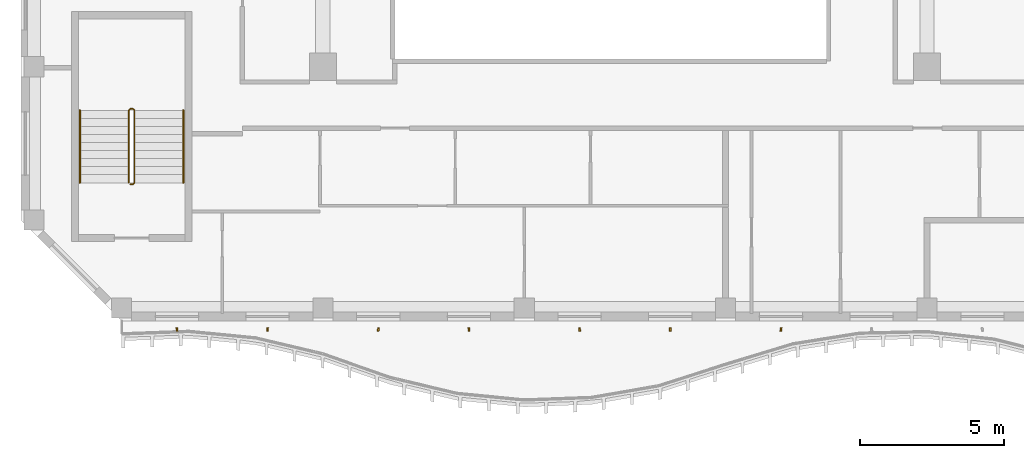
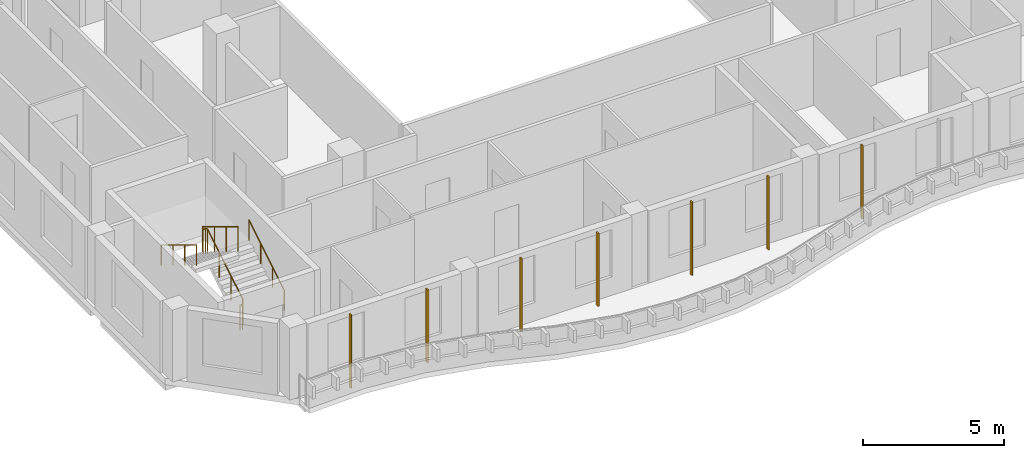
# One storey, part 13 of 20: 7 shading devices, 3 railings.
"""IFC4 building model written with IfcOpenShell, lengths in metres."""

from ifc_helpers import new_model, si_unit, direction, frame, origin, origin_2d, place, context, subcontext, project, spatial, rectangle, circle, extrude, source, transform, mapped, material, material_profile, profile_set, type_object, element, save


model = new_model("IFC4")

# Units and contexts
model_context = context("Model", 3, precision=1e-05, world=origin(), true_north=direction((0.0, 1.0)))
body_context = subcontext(model_context, "Body", "Model", "MODEL_VIEW")
ifc_project = project(units=[si_unit("LENGTHUNIT", "METRE"), si_unit("AREAUNIT", "SQUARE_METRE"), si_unit("VOLUMEUNIT", "CUBIC_METRE"), si_unit("PLANEANGLEUNIT", "RADIAN"), si_unit("MASSUNIT", "GRAM", prefix="KILO")], contexts=[model_context])

# Site, building, storey
site_placement = place(None, origin())
site = spatial("IfcSite", under=ifc_project, at=site_placement, CompositionType="ELEMENT")
building_placement = place(site_placement, origin())
building = spatial("IfcBuilding", under=site, at=building_placement, Name="Kilnfold Tower and Market Hall", CompositionType="ELEMENT")
storey_placement = place(building_placement, frame((0.0, 0.0, 239.0)))
storey = spatial("IfcBuildingStorey", under=building, at=storey_placement, Name="L57", CompositionType="ELEMENT", Elevation=239.0)

# Railings
ifc_material_1 = material(Name="Stainless steel 316", Category="steel")
railing_type_1 = type_object("IfcRailingType", Name="CORE STAIR GUARD 1100", PredefinedType="GUARDRAIL", material=ifc_material_1)
railing_1_placement = place(storey_placement, frame((-15.699951171875, -13.75, 0.0)))
element("IfcRailing", 1, at=railing_1_placement, inside=storey, type_object=railing_type_1, Name="L57 ST3 stair guard 1", PredefinedType="GUARDRAIL", context=body_context, shape_type="SweptSolid", body=[
    extrude(circle(Radius=0.02392578125, at=origin_2d()), frame((0.0, 0.0, 1.076171875), z_axis=(1.0, 0.0, 0.0), x_axis=(0.0, 1.0, 0.0)), (0.0, 0.0, 1.0), 0.099853515625),
    extrude(circle(Radius=0.02392578125, at=origin_2d()), frame((0.099853515625, 0.0, 1.076171875), z_axis=(0.271895245746, 0.271895245746, 0.923117517265), x_axis=(-0.707106781187, 0.707106781187, 0.0)), (0.0, 0.0, 1.0), 0.18408203125),
    extrude(circle(Radius=0.02392578125, at=origin_2d()), frame((0.14990234375, 0.050048828125, 1.24609375), z_axis=(0.0, 0.85478489116, 0.518982456201), x_axis=(-1.0, 0.0, 0.0)), (0.0, 0.0, 1.0), 2.9482421875),
    extrude(circle(Radius=0.02392578125, at=origin_2d()), frame((0.14990234375, 2.570068359375, 2.77587890625), z_axis=(-0.707106781187, 0.707106781187, 0.0), x_axis=(-0.707106781187, -0.707106781187, 0.0)), (0.0, 0.0, 1.0), 0.07080078125),
    extrude(circle(Radius=0.02392578125, at=origin_2d()), frame((0.099853515625, 2.6201171875, 2.77587890625), z_axis=(-1.0, 0.0, 0.0), x_axis=(0.0, -1.0, 0.0)), (0.0, 0.0, 1.0), 0.099853515625),
    extrude(circle(Radius=0.02392578125, at=origin_2d()), frame((0.0, 2.6201171875, 2.77587890625), z_axis=(-0.271562723297, -0.271562723297, 0.923313259209), x_axis=(0.707106781187, -0.707106781187, 0.0)), (0.0, 0.0, 1.0), 0.184326171875),
    extrude(circle(Radius=0.02392578125, at=origin_2d()), frame((-0.050048828125, 2.570068359375, 2.9462890625), z_axis=(0.0, -0.854821627497, 0.518921945155), x_axis=(1.0, 0.0, 0.0)), (0.0, 0.0, 1.0), 2.947998046875),
    extrude(circle(Radius=0.02099609375, at=origin_2d()), origin(), (0.0, 0.0, 1.0), 1.052001953125),
    extrude(circle(Radius=0.02099609375, at=origin_2d()), frame((0.099853515625, 0.0, 0.0)), (0.0, 0.0, 1.0), 1.052001953125),
    extrude(circle(Radius=0.02099609375, at=origin_2d()), frame((0.14990234375, 0.050048828125, 0.169921875)), (0.0, 0.0, 1.0), 1.052001953125),
    extrude(circle(Radius=0.02099609375, at=origin_2d()), frame((0.14990234375, 0.89013671875, 0.679931640625)), (0.0, 0.0, 1.0), 1.052001953125),
    extrude(circle(Radius=0.02099609375, at=origin_2d()), frame((0.14990234375, 1.72998046875, 1.18994140625)), (0.0, 0.0, 1.0), 1.052001953125),
    extrude(circle(Radius=0.02099609375, at=origin_2d()), frame((0.14990234375, 2.570068359375, 1.699951171875)), (0.0, 0.0, 1.0), 1.052001953125),
    extrude(circle(Radius=0.02099609375, at=origin_2d()), frame((0.099853515625, 2.6201171875, 1.699951171875)), (0.0, 0.0, 1.0), 1.052001953125),
    extrude(circle(Radius=0.02099609375, at=origin_2d()), frame((0.0, 2.6201171875, 1.699951171875)), (0.0, 0.0, 1.0), 1.052001953125),
    extrude(circle(Radius=0.02099609375, at=origin_2d()), frame((-0.050048828125, 2.570068359375, 1.8701171875)), (0.0, 0.0, 1.0), 1.052001953125),
    extrude(circle(Radius=0.02099609375, at=origin_2d()), frame((-0.050048828125, 1.72998046875, 2.380126953125)), (0.0, 0.0, 1.0), 1.052001953125),
    extrude(circle(Radius=0.02099609375, at=origin_2d()), frame((-0.050048828125, 0.89013671875, 2.889892578125)), (0.0, 0.0, 1.0), 1.052001953125),
    extrude(circle(Radius=0.02099609375, at=origin_2d()), frame((-0.050048828125, 0.050048828125, 3.39990234375)), (0.0, 0.0, 1.0), 1.052001953125),
])
ifc_material_2 = material(Name="Stainless steel 316", Category="steel")
railing_type_2 = type_object("IfcRailingType", Name="CORE STAIR HANDRAIL 900", PredefinedType="HANDRAIL", material=ifc_material_2)
railing_2_placement = place(storey_placement, frame((-13.85009765625, -13.699951171875, 0.169921875)))
element("IfcRailing", 2, at=railing_2_placement, inside=storey, type_object=railing_type_2, Name="L57 ST3 stair handrail 1", PredefinedType="HANDRAIL", context=body_context, shape_type="SweptSolid", body=[
    extrude(circle(Radius=0.02392578125, at=origin_2d()), frame((0.0, 0.0, 0.8759765625), z_axis=(0.0, 0.85478489116, 0.518982456201), x_axis=(-1.0, 0.0, 0.0)), (0.0, 0.0, 1.0), 2.9482421875),
    extrude(circle(Radius=0.02099609375, at=origin_2d()), origin(), (0.0, 0.0, 1.0), 0.851806640625),
    extrude(circle(Radius=0.02099609375, at=origin_2d()), frame((0.0, 0.840087890625, 0.510009765625)), (0.0, 0.0, 1.0), 0.851806640625),
    extrude(circle(Radius=0.02099609375, at=origin_2d()), frame((0.0, 1.679931640625, 1.02001953125)), (0.0, 0.0, 1.0), 0.851806640625),
    extrude(circle(Radius=0.02099609375, at=origin_2d()), frame((0.0, 2.52001953125, 1.530029296875)), (0.0, 0.0, 1.0), 0.851806640625),
])
railing_3_placement = place(storey_placement, frame((-17.449951171875, -11.179931640625, 1.8701171875)))
element("IfcRailing", 3, at=railing_3_placement, inside=storey, type_object=railing_type_2, Name="L57 ST3 stair handrail 2", PredefinedType="HANDRAIL", context=body_context, shape_type="SweptSolid", body=[
    extrude(circle(Radius=0.02392578125, at=origin_2d()), frame((0.0, 0.0, 0.8759765625), z_axis=(0.0, -0.854821627497, 0.518921945155), x_axis=(1.0, 0.0, 0.0)), (0.0, 0.0, 1.0), 2.947998046875),
    extrude(circle(Radius=0.02099609375, at=origin_2d()), origin(), (0.0, 0.0, 1.0), 0.851806640625),
    extrude(circle(Radius=0.02099609375, at=origin_2d()), frame((0.0, -0.840087890625, 0.510009765625)), (0.0, 0.0, 1.0), 0.851806640625),
    extrude(circle(Radius=0.02099609375, at=origin_2d()), frame((0.0, -1.679931640625, 1.019775390625)), (0.0, 0.0, 1.0), 0.851806640625),
    extrude(circle(Radius=0.02099609375, at=origin_2d()), frame((0.0, -2.52001953125, 1.52978515625)), (0.0, 0.0, 1.0), 0.851806640625),
])

# Shading devices
ifc_material_3 = material(Name="Terracotta", Category="masonry")
ifc_material_profile = material_profile(ifc_material_3, rectangle(XDim=0.06005859375, YDim=0.1201171875, at=origin_2d()), Name="BAG 60x120")
ifc_profile_set = profile_set([ifc_material_profile], Name="Terracotta")
shading_device_type = type_object("IfcShadingDeviceType", Name="BAGUETTE", PredefinedType="USERDEFINED", material=ifc_profile_set)
shared_shape = source(origin(), body_context, "Body", "SweptSolid", [
    extrude(rectangle(XDim=0.06005859375, YDim=0.1201171875, at=origin_2d()), origin(), (0.0, 0.0, 1.0), 3.179931640625),
])
for number, where, z_axis, x_axis, name in (
    (4, (-14.074951171875, -18.800048828125, 0.0), (0.0, 0.0, 1.0), (0.993311037832, 0.11546939907, 0.0), "Terracotta baguette L57 S"),
    (5, (-10.925048828125, -18.800048828125, 0.0), (0.0, 0.0, 1.0), (0.99825686554, -0.059018898687, 0.0), "Terracotta baguette L57 S"),
    (6, (-7.074951171875, -18.800048828125, 0.0), (0.0, 0.0, 1.0), (0.993311037832, -0.11546939907, 0.0), "Terracotta baguette L57 S"),
    (7, (-3.925048828125, -18.800048828125, 0.0), (0.0, 0.0, 1.0), (0.99825686554, 0.059018898687, 0.0), "Terracotta baguette L57 S"),
    (8, (-0.074951171875, -18.800048828125, 0.0), (0.0, 0.0, 1.0), (0.993311037832, 0.11546939907, 0.0), "Terracotta baguette L57 S"),
    (9, (3.074951171875, -18.800048828125, 0.0), (0.0, 0.0, 1.0), (0.99825686554, -0.059018898687, 0.0), "Terracotta baguette L57 S"),
    (10, (6.925048828125, -18.800048828125, 0.0), (0.0, 0.0, 1.0), (0.993311037832, -0.11546939907, 0.0), "Terracotta baguette L57 S"),
):
    element("IfcShadingDevice", number, at=place(storey_placement, frame(where, z_axis=z_axis, x_axis=x_axis)), inside=storey, type_object=shading_device_type, Name=name, ObjectType="BAGUETTE", PredefinedType="USERDEFINED", context=body_context, shape_type="MappedRepresentation", body=[
        mapped(shared_shape, transform((0.0, 0.0, 0.0))),
    ])

save(model, "model.ifc")
